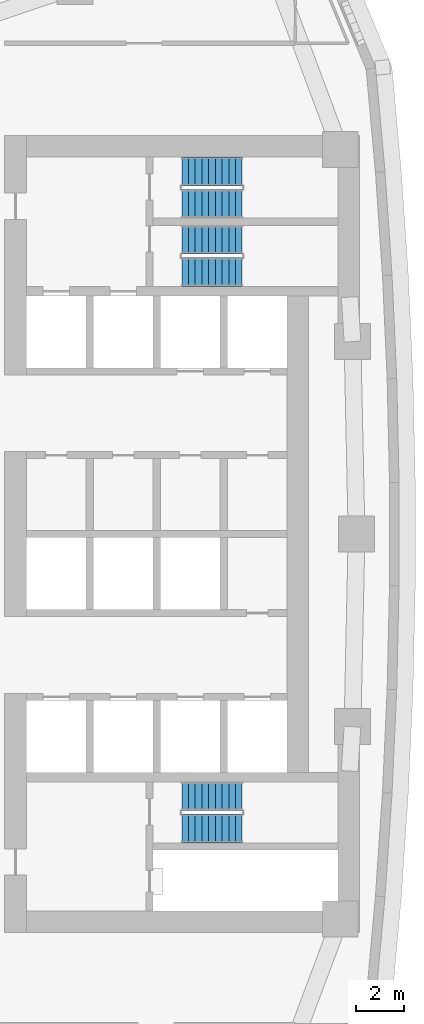
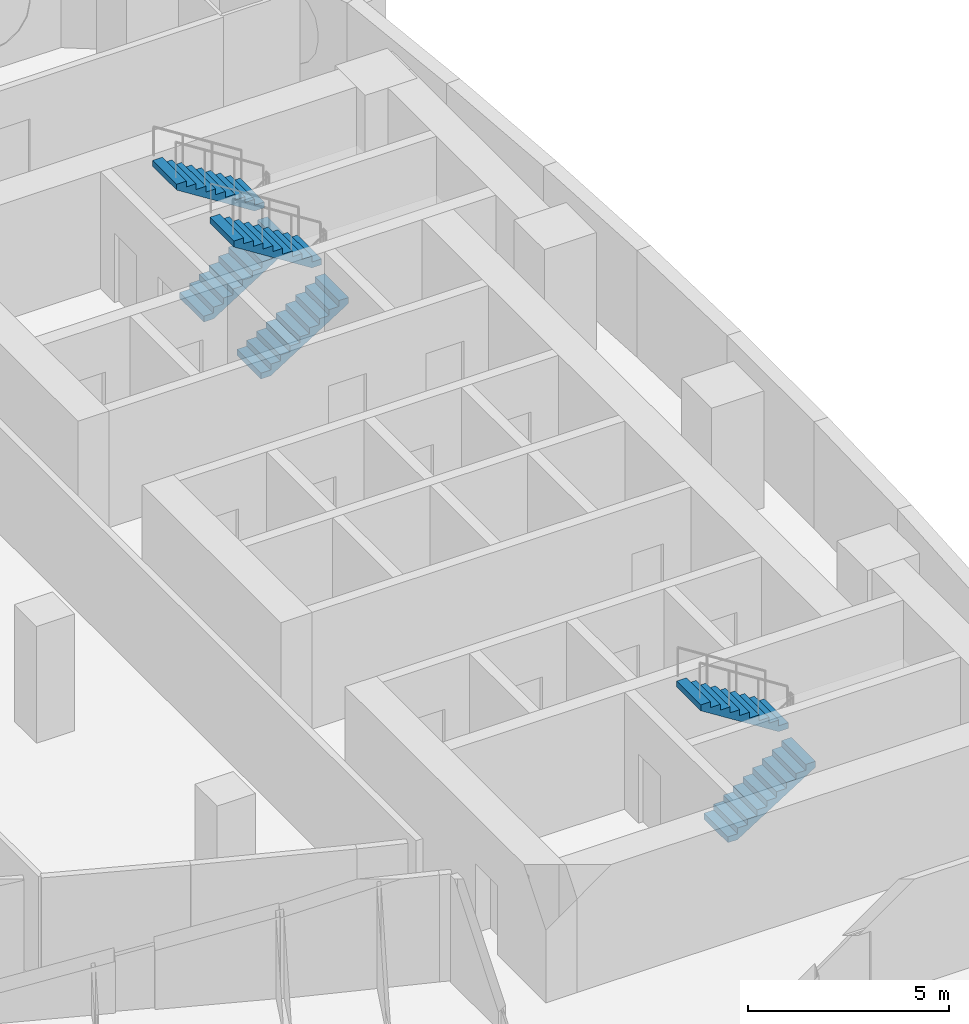
# One storey, part 13 of 17: 6 stair flights, 3 elements without a shape of their own.
"""IFC4 building model written with IfcOpenShell, lengths in metres."""

from ifc_helpers import new_model, si_unit, direction, frame, origin, place, context, subcontext, project, spatial, polyline, outline, extrude, material, type_object, element, aggregate, save


model = new_model("IFC4")

# Units and contexts
model_context = context("Model", 3, precision=1e-05, world=origin(), true_north=direction((0.0, 1.0)))
body_context = subcontext(model_context, "Body", "Model", "MODEL_VIEW")
ifc_project = project(units=[si_unit("LENGTHUNIT", "METRE"), si_unit("AREAUNIT", "SQUARE_METRE"), si_unit("VOLUMEUNIT", "CUBIC_METRE"), si_unit("PLANEANGLEUNIT", "RADIAN"), si_unit("MASSUNIT", "GRAM", prefix="KILO")], contexts=[model_context])

# Site, building, storey
site_placement = place(None, origin())
site = spatial("IfcSite", under=ifc_project, at=site_placement, CompositionType="ELEMENT")
building_placement = place(site_placement, origin())
building = spatial("IfcBuilding", under=site, at=building_placement, Name="Ostrand Prow Hotel Tower", CompositionType="ELEMENT")
storey_placement = place(building_placement, frame((0.0, 0.0, 140.85009765625)))
storey = spatial("IfcBuildingStorey", under=building, at=storey_placement, Name="L34", CompositionType="ELEMENT", Elevation=140.85009765625)

# Stair, stair flights
ifc_material_1 = material(Name="Concrete C40/50", Category="concrete")
stair_type = type_object("IfcStairType", Name="Exit stair 1200 upper zone", PredefinedType="HALF_TURN_STAIR", material=ifc_material_1)
stair_1_placement = place(storey_placement, origin())
stair_1 = element("IfcStair", 1, at=stair_1_placement, inside=storey, type_object=stair_type, Name="L34 ST1C", PredefinedType="HALF_TURN_STAIR")
ifc_material_2 = material(Name="Concrete C40/50", Category="concrete")
stair_flight_type = type_object("IfcStairFlightType", Name="Stair flight 1200 concrete", PredefinedType="STRAIGHT", material=ifc_material_2)
stair_flight_1_placement = place(storey_placement, frame((57.199951171875, 10.949951171875, 0.0), z_axis=(0.0, 0.0, 1.0), x_axis=(1.0, 0.0, 0.0)))
stair_flight_1 = element("IfcStairFlight", 2, at=stair_flight_1_placement, type_object=stair_flight_type, Name="ST1C flight 1", NumberOfRisers=10, NumberOfTreads=9, PredefinedType="STRAIGHT", RiserHeight=0.1775, TreadLength=0.28, context=body_context, shape_type="SweptSolid", body=[
    extrude(outline(polyline([(0.0, 0.0), (0.0, 0.177490234375), (0.280029296875, 0.177490234375), (0.280029296875, 0.35498046875), (0.56005859375, 0.35498046875), (0.56005859375, 0.532470703125), (0.840087890625, 0.532470703125), (0.840087890625, 0.7099609375), (1.1201171875, 0.7099609375), (1.1201171875, 0.887451171875), (1.39990234375, 0.887451171875), (1.39990234375, 1.06494140625), (1.679931640625, 1.06494140625), (1.679931640625, 1.242431640625), (1.9599609375, 1.242431640625), (1.9599609375, 1.419921875), (2.239990234375, 1.419921875), (2.239990234375, 1.597412109375), (2.52001953125, 1.597412109375), (2.52001953125, 1.77490234375), (2.52001953125, 1.419921875), (0.280029296875, 0.0), (0.0, 0.0)])), frame((0.0, 0.60009765625, 0.0), z_axis=(0.0, -1.0, 0.0), x_axis=(1.0, 0.0, 0.0)), (0.0, 0.0, 1.0), 1.199951171875),
])
stair_flight_2_placement = place(storey_placement, frame((59.719970703125, 12.300048828125, 1.77490234375), z_axis=(0.0, 0.0, 1.0), x_axis=(-1.0, 0.0, 0.0)))
stair_flight_2 = element("IfcStairFlight", 3, at=stair_flight_2_placement, type_object=stair_flight_type, Name="ST1C flight 2", NumberOfRisers=10, NumberOfTreads=9, PredefinedType="STRAIGHT", RiserHeight=0.1775, TreadLength=0.28, context=body_context, shape_type="SweptSolid", body=[
    extrude(outline(polyline([(0.0, 0.0), (0.0, 0.177490234375), (0.280029296875, 0.177490234375), (0.280029296875, 0.35498046875), (0.56005859375, 0.35498046875), (0.56005859375, 0.532470703125), (0.840087890625, 0.532470703125), (0.840087890625, 0.7099609375), (1.1201171875, 0.7099609375), (1.1201171875, 0.887451171875), (1.39990234375, 0.887451171875), (1.39990234375, 1.06494140625), (1.679931640625, 1.06494140625), (1.679931640625, 1.242431640625), (1.9599609375, 1.242431640625), (1.9599609375, 1.419921875), (2.239990234375, 1.419921875), (2.239990234375, 1.597412109375), (2.52001953125, 1.597412109375), (2.52001953125, 1.77490234375), (2.52001953125, 1.419921875), (0.280029296875, 0.0), (0.0, 0.0)])), frame((0.0, 0.60009765625, 0.0), z_axis=(0.0, -1.0, 0.0), x_axis=(1.0, 0.0, 0.0)), (0.0, 0.0, 1.0), 1.199951171875),
])
aggregate(stair_1, [stair_flight_1, stair_flight_2])

stair_2_placement = place(storey_placement, origin())
stair_2 = element("IfcStair", 4, at=stair_2_placement, inside=storey, type_object=stair_type, Name="L34 ST3C", PredefinedType="HALF_TURN_STAIR")
stair_flight_3_placement = place(storey_placement, frame((57.199951171875, 13.800048828125, 0.0), z_axis=(0.0, 0.0, 1.0), x_axis=(1.0, 0.0, 0.0)))
stair_flight_3 = element("IfcStairFlight", 5, at=stair_flight_3_placement, type_object=stair_flight_type, Name="ST3C flight 1", NumberOfRisers=10, NumberOfTreads=9, PredefinedType="STRAIGHT", RiserHeight=0.1775, TreadLength=0.28, context=body_context, shape_type="SweptSolid", body=[
    extrude(outline(polyline([(0.0, 0.0), (0.0, 0.177490234375), (0.280029296875, 0.177490234375), (0.280029296875, 0.35498046875), (0.56005859375, 0.35498046875), (0.56005859375, 0.532470703125), (0.840087890625, 0.532470703125), (0.840087890625, 0.7099609375), (1.1201171875, 0.7099609375), (1.1201171875, 0.887451171875), (1.39990234375, 0.887451171875), (1.39990234375, 1.06494140625), (1.679931640625, 1.06494140625), (1.679931640625, 1.242431640625), (1.9599609375, 1.242431640625), (1.9599609375, 1.419921875), (2.239990234375, 1.419921875), (2.239990234375, 1.597412109375), (2.52001953125, 1.597412109375), (2.52001953125, 1.77490234375), (2.52001953125, 1.419921875), (0.280029296875, 0.0), (0.0, 0.0)])), frame((0.0, 0.60009765625, 0.0), z_axis=(0.0, -1.0, 0.0), x_axis=(1.0, 0.0, 0.0)), (0.0, 0.0, 1.0), 1.199951171875),
])
stair_flight_4_placement = place(storey_placement, frame((59.719970703125, 15.14990234375, 1.77490234375), z_axis=(0.0, 0.0, 1.0), x_axis=(-1.0, 0.0, 0.0)))
stair_flight_4 = element("IfcStairFlight", 6, at=stair_flight_4_placement, type_object=stair_flight_type, Name="ST3C flight 2", NumberOfRisers=10, NumberOfTreads=9, PredefinedType="STRAIGHT", RiserHeight=0.1775, TreadLength=0.28, context=body_context, shape_type="SweptSolid", body=[
    extrude(outline(polyline([(0.0, 0.0), (0.0, 0.177490234375), (0.280029296875, 0.177490234375), (0.280029296875, 0.35498046875), (0.56005859375, 0.35498046875), (0.56005859375, 0.532470703125), (0.840087890625, 0.532470703125), (0.840087890625, 0.7099609375), (1.1201171875, 0.7099609375), (1.1201171875, 0.887451171875), (1.39990234375, 0.887451171875), (1.39990234375, 1.06494140625), (1.679931640625, 1.06494140625), (1.679931640625, 1.242431640625), (1.9599609375, 1.242431640625), (1.9599609375, 1.419921875), (2.239990234375, 1.419921875), (2.239990234375, 1.597412109375), (2.52001953125, 1.597412109375), (2.52001953125, 1.77490234375), (2.52001953125, 1.419921875), (0.280029296875, 0.0), (0.0, 0.0)])), frame((0.0, 0.60009765625, 0.0), z_axis=(0.0, -1.0, 0.0), x_axis=(1.0, 0.0, 0.0)), (0.0, 0.0, 1.0), 1.199951171875),
])
aggregate(stair_2, [stair_flight_3, stair_flight_4])

stair_3_placement = place(storey_placement, origin())
stair_3 = element("IfcStair", 7, at=stair_3_placement, inside=storey, type_object=stair_type, Name="L34 ST2C", PredefinedType="HALF_TURN_STAIR")
stair_flight_5_placement = place(storey_placement, frame((57.199951171875, -12.300048828125, 0.0), z_axis=(0.0, 0.0, 1.0), x_axis=(1.0, 0.0, 0.0)))
stair_flight_5 = element("IfcStairFlight", 8, at=stair_flight_5_placement, type_object=stair_flight_type, Name="ST2C flight 1", NumberOfRisers=10, NumberOfTreads=9, PredefinedType="STRAIGHT", RiserHeight=0.1775, TreadLength=0.28, context=body_context, shape_type="SweptSolid", body=[
    extrude(outline(polyline([(0.0, 0.0), (0.0, 0.177490234375), (0.280029296875, 0.177490234375), (0.280029296875, 0.35498046875), (0.56005859375, 0.35498046875), (0.56005859375, 0.532470703125), (0.840087890625, 0.532470703125), (0.840087890625, 0.7099609375), (1.1201171875, 0.7099609375), (1.1201171875, 0.887451171875), (1.39990234375, 0.887451171875), (1.39990234375, 1.06494140625), (1.679931640625, 1.06494140625), (1.679931640625, 1.242431640625), (1.9599609375, 1.242431640625), (1.9599609375, 1.419921875), (2.239990234375, 1.419921875), (2.239990234375, 1.597412109375), (2.52001953125, 1.597412109375), (2.52001953125, 1.77490234375), (2.52001953125, 1.419921875), (0.280029296875, 0.0), (0.0, 0.0)])), frame((0.0, 0.60009765625, 0.0), z_axis=(0.0, -1.0, 0.0), x_axis=(1.0, 0.0, 0.0)), (0.0, 0.0, 1.0), 1.199951171875),
])
stair_flight_6_placement = place(storey_placement, frame((59.719970703125, -10.949951171875, 1.77490234375), z_axis=(0.0, 0.0, 1.0), x_axis=(-1.0, 0.0, 0.0)))
stair_flight_6 = element("IfcStairFlight", 9, at=stair_flight_6_placement, type_object=stair_flight_type, Name="ST2C flight 2", NumberOfRisers=10, NumberOfTreads=9, PredefinedType="STRAIGHT", RiserHeight=0.1775, TreadLength=0.28, context=body_context, shape_type="SweptSolid", body=[
    extrude(outline(polyline([(0.0, 0.0), (0.0, 0.177490234375), (0.280029296875, 0.177490234375), (0.280029296875, 0.35498046875), (0.56005859375, 0.35498046875), (0.56005859375, 0.532470703125), (0.840087890625, 0.532470703125), (0.840087890625, 0.7099609375), (1.1201171875, 0.7099609375), (1.1201171875, 0.887451171875), (1.39990234375, 0.887451171875), (1.39990234375, 1.06494140625), (1.679931640625, 1.06494140625), (1.679931640625, 1.242431640625), (1.9599609375, 1.242431640625), (1.9599609375, 1.419921875), (2.239990234375, 1.419921875), (2.239990234375, 1.597412109375), (2.52001953125, 1.597412109375), (2.52001953125, 1.77490234375), (2.52001953125, 1.419921875), (0.280029296875, 0.0), (0.0, 0.0)])), frame((0.0, 0.60009765625, 0.0), z_axis=(0.0, -1.0, 0.0), x_axis=(1.0, 0.0, 0.0)), (0.0, 0.0, 1.0), 1.199951171875),
])
aggregate(stair_3, [stair_flight_5, stair_flight_6])

save(model, "model.ifc")
